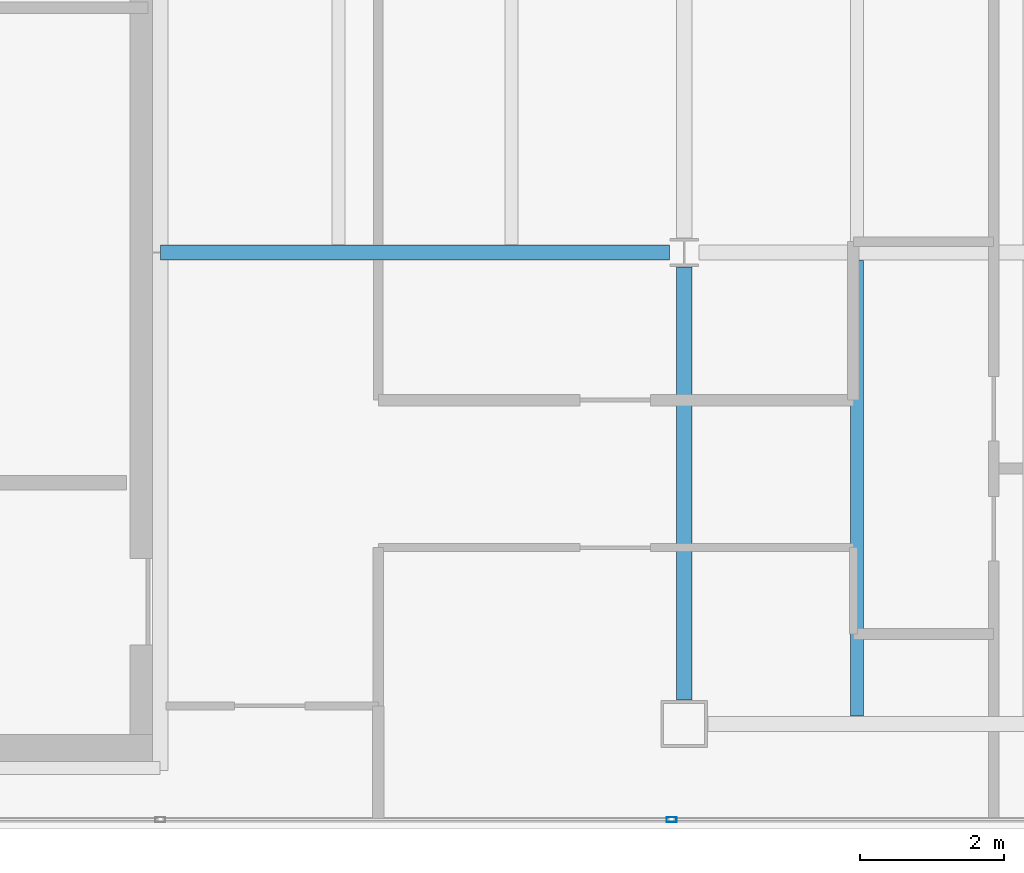
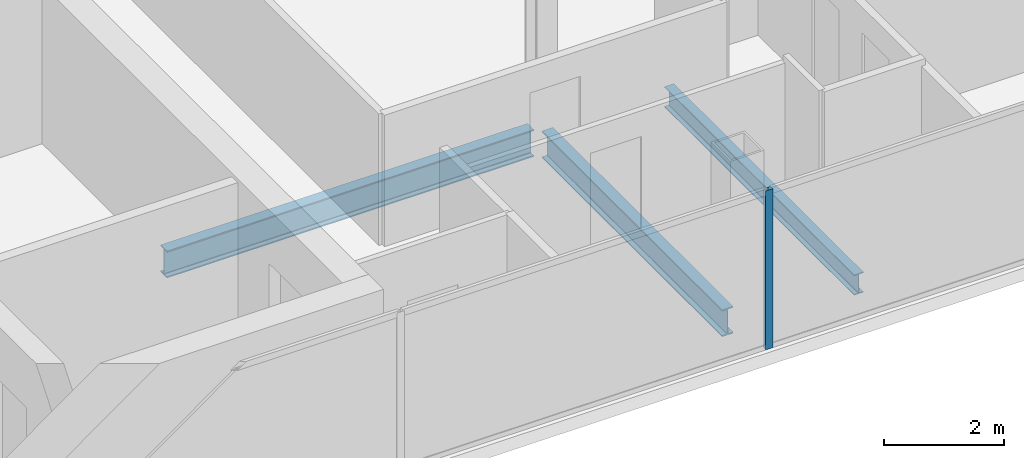
# One storey, part 5 of 24: 3 beams, 1 member, 1 element without a shape of its own.
"""IFC4 building model written with IfcOpenShell, lengths in metres."""

from ifc_helpers import new_model, si_unit, direction, frame, origin, origin_2d, place, context, subcontext, project, spatial, hollow_rectangle, i_section, extrude, material, material_profile, profile_set, type_object, element, aggregate, save


model = new_model("IFC4")

# Units and contexts
model_context = context("Model", 3, precision=1e-05, world=origin(), true_north=direction((0.0, 1.0)))
body_context = subcontext(model_context, "Body", "Model", "MODEL_VIEW")
ifc_project = project(units=[si_unit("LENGTHUNIT", "METRE"), si_unit("AREAUNIT", "SQUARE_METRE"), si_unit("VOLUMEUNIT", "CUBIC_METRE"), si_unit("PLANEANGLEUNIT", "RADIAN"), si_unit("MASSUNIT", "GRAM", prefix="KILO")], contexts=[model_context])

# Site, building, storey
site_placement = place(None, origin())
site = spatial("IfcSite", under=ifc_project, at=site_placement, CompositionType="ELEMENT")
building_placement = place(site_placement, origin())
building = spatial("IfcBuilding", under=site, at=building_placement, Name="Cobrela Telecom Tower", CompositionType="ELEMENT")
storey_placement = place(building_placement, frame((0.0, 0.0, 248.14990234375)))
storey = spatial("IfcBuildingStorey", under=building, at=storey_placement, Name="L64", CompositionType="ELEMENT", Elevation=248.14990234375)

# Beams
ifc_material_1 = material(Name="Steel ASTM A992 Grade 50", Category="steel")
ifc_material_profile_1 = material_profile(ifc_material_1, i_section(OverallWidth=0.212890625, OverallDepth=0.549072265625, WebThickness=0.0146484375, FlangeThickness=0.023681640625, FilletRadius=0.013916015625, at=origin_2d()), Name="W21X93")
ifc_profile_set_1 = profile_set([ifc_material_profile_1], Name="Steel ASTM A992 Grade 50")
beam_type_1 = type_object("IfcBeamType", Name="BM-GIRD-08", PredefinedType="USERDEFINED", material=ifc_profile_set_1)
beam_1_placement = place(storey_placement, frame((14.324951171875, 14.39990234375, -0.534423828125), z_axis=(1.0, 0.0, 0.0), x_axis=(0.0, 1.0, 0.0)))
element("IfcBeam", 1, at=beam_1_placement, inside=storey, type_object=beam_type_1, Name="L64 Primary Girder X05", ObjectType="GIRDER", PredefinedType="USERDEFINED", context=body_context, shape_type="SweptSolid", body=[
    extrude(i_section(OverallWidth=0.212890625, OverallDepth=0.549072265625, WebThickness=0.0146484375, FlangeThickness=0.023681640625, FilletRadius=0.013916015625, at=origin_2d()), origin(), (0.0, 0.0, 1.0), 7.070556640625),
])
beam_2_placement = place(storey_placement, frame((21.60009765625, 8.179931640625, -0.534423828125), z_axis=(0.0, 1.0, 0.0), x_axis=(-1.0, 0.0, 0.0)))
element("IfcBeam", 2, at=beam_2_placement, inside=storey, type_object=beam_type_1, Name="L64 Primary Girder Y27", ObjectType="GIRDER", PredefinedType="USERDEFINED", context=body_context, shape_type="SweptSolid", body=[
    extrude(i_section(OverallWidth=0.212890625, OverallDepth=0.549072265625, WebThickness=0.0146484375, FlangeThickness=0.023681640625, FilletRadius=0.013916015625, at=origin_2d()), origin(), (0.0, 0.0, 1.0), 6.015625),
])
ifc_material_profile_2 = material_profile(ifc_material_1, i_section(OverallWidth=0.179931640625, OverallDepth=0.4169921875, WebThickness=0.010986328125, FlangeThickness=0.01806640625, FilletRadius=0.011962890625, at=origin_2d()), Name="W16X57")
ifc_profile_set_2 = profile_set([ifc_material_profile_2], Name="Steel ASTM A992 Grade 50")
beam_type_2 = type_object("IfcBeamType", Name="BM-JOIST-04", PredefinedType="JOIST", material=ifc_profile_set_2)
beam_3_placement = place(storey_placement, frame((24.0, 7.96142578125, -0.468505859375), z_axis=(0.0, 1.0, 0.0), x_axis=(-1.0, 0.0, 0.0)))
element("IfcBeam", 3, at=beam_3_placement, inside=storey, type_object=beam_type_2, Name="L64 Secondary Composite Floor Beam J07", PredefinedType="JOIST", context=body_context, shape_type="SweptSolid", body=[
    extrude(i_section(OverallWidth=0.179931640625, OverallDepth=0.4169921875, WebThickness=0.010986328125, FlangeThickness=0.01806640625, FilletRadius=0.011962890625, at=origin_2d()), origin(), (0.0, 0.0, 1.0), 6.3271484375),
])

# Curtain wall, member
ifc_material_2 = material(Name="Anodized Bronze Aluminium 6063-T6", Category="aluminium")
curtain_wall_type = type_object("IfcCurtainWallType", Name="CW-SYS-OFF-HI", PredefinedType="USERDEFINED", material=ifc_material_2)
curtain_wall_placement = place(storey_placement, origin())
curtain_wall = element("IfcCurtainWall", 4, at=curtain_wall_placement, inside=storey, type_object=curtain_wall_type, Name="L64 Unitised Bronze Curtain Wall 15", ObjectType="UNITISED CURTAIN WALL", PredefinedType="USERDEFINED")
ifc_material_profile_3 = material_profile(ifc_material_2, hollow_rectangle(XDim=0.070068359375, YDim=0.139892578125, WallThickness=0.00390625, at=origin_2d()), Name="ALU 70x140x4")
ifc_profile_set_3 = profile_set([ifc_material_profile_3], Name="Anodized Bronze Aluminium 6063-T6")
member_type = type_object("IfcMemberType", Name="CW-SYS-OFF-HI-MUL", PredefinedType="MULLION", material=ifc_profile_set_3)
member_placement = place(storey_placement, frame((21.425048828125, 6.52001953125, 0.0), z_axis=(0.0, 0.0, 1.0), x_axis=(0.0, -1.0, 0.0)))
member = element("IfcMember", 5, at=member_placement, type_object=member_type, Name="CW-OFF-HI mullion 4", PredefinedType="MULLION", context=body_context, shape_type="SweptSolid", body=[
    extrude(hollow_rectangle(XDim=0.070068359375, YDim=0.139892578125, WallThickness=0.00390625, at=origin_2d()), origin(), (0.0, 0.0, 1.0), 3.239990234375),
])
aggregate(curtain_wall, [member])

save(model, "model.ifc")
